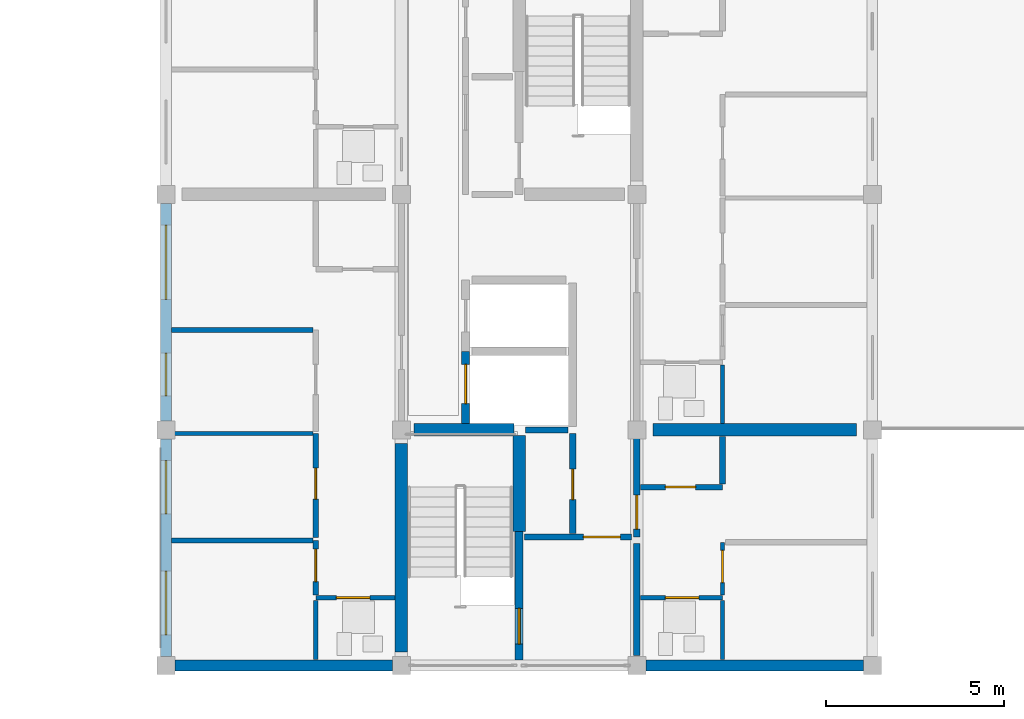
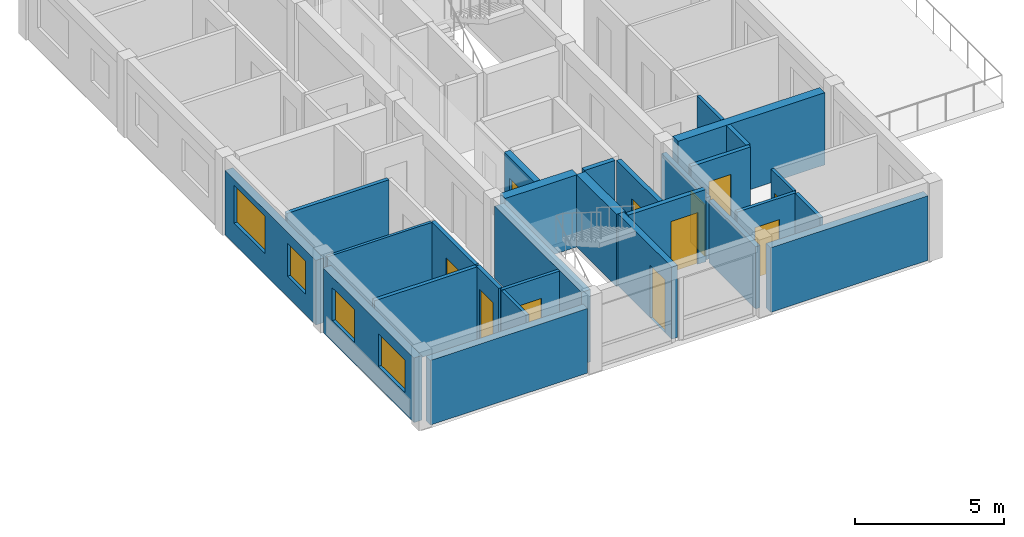
# One storey, part 30 of 51: 28 walls, 11 doors, 4 windows, 15 openings.
"""IFC4 building model written with IfcOpenShell, lengths in metres."""

from ifc_helpers import new_model, si_unit, direction, frame, frame_2d, origin, place, context, subcontext, project, spatial, rectangle, extrude, material, layer, layer_set, type_object, element, fill, save


model = new_model("IFC4")

# Units and contexts
model_context = context("Model", 3, precision=1e-05, world=origin(), true_north=direction((0.0, 1.0)))
body_context = subcontext(model_context, "Body", "Model", "MODEL_VIEW")
ifc_project = project(units=[si_unit("LENGTHUNIT", "METRE"), si_unit("AREAUNIT", "SQUARE_METRE"), si_unit("VOLUMEUNIT", "CUBIC_METRE"), si_unit("PLANEANGLEUNIT", "RADIAN"), si_unit("MASSUNIT", "GRAM", prefix="KILO")], contexts=[model_context])

# Site, building, storey
site_placement = place(None, origin())
site = spatial("IfcSite", under=ifc_project, at=site_placement, CompositionType="ELEMENT")
building_placement = place(site_placement, origin())
building = spatial("IfcBuilding", under=site, at=building_placement, Name="Kernevlak Ridge Housing Community", CompositionType="ELEMENT")
storey_placement = place(building_placement, frame((0.0, 0.0, 8.39990234375)))
storey = spatial("IfcBuildingStorey", under=building, at=storey_placement, Name="L02", CompositionType="ELEMENT", Elevation=8.39990234375)

# Wall, openings, windows
ifc_material_1 = material(Name="Concrete block masonry M10", Category="masonry")
ifc_layer_1 = layer(ifc_material_1, 0.300048828125, Name="Concrete block masonry M10")
ifc_layer_set_1 = layer_set([ifc_layer_1], Name="Concrete block masonry M10")
wall_type_1 = type_object("IfcWallType", Name="EW-01", PredefinedType="STANDARD", material=ifc_layer_set_1)
wall_1_placement = place(storey_placement, frame((126.0, 15.85009765625, 0.0), z_axis=(0.0, 0.0, 1.0), x_axis=(0.0, 1.0, 0.0)))
wall_1 = element("IfcWall", 1, at=wall_1_placement, inside=storey, type_object=wall_type_1, Name="Exterior wall EW-01 L02 558", PredefinedType="STANDARD", context=body_context, shape_type="SweptSolid", body=[
    extrude(rectangle(XDim=6.099853515625, YDim=0.300048828125, at=frame_2d((3.0498046875, 0.0))), origin(), (0.0, 0.0, 1.0), 2.650146484375),
])
opening_1_placement = place(wall_1_placement, frame((0.60009765625, 0.0, 0.85009765625)))
opening_1 = element("IfcOpeningElement", 2, at=opening_1_placement, cuts=wall_1, Name="Opening WT-03", PredefinedType="OPENING", context=body_context, shape_type="SweptSolid", body=[
    extrude(rectangle(XDim=1.800048828125, YDim=1.35009765625, at=frame_2d((0.89990234375, 0.675048828125))), frame((0.0, 0.159912109375, 0.0), z_axis=(0.0, -1.0, 0.0), x_axis=(1.0, 0.0, 0.0)), (0.0, 0.0, 1.0), 0.320068359375),
])
opening_2_placement = place(wall_1_placement, frame((4.0, 0.0, 0.85009765625)))
opening_2 = element("IfcOpeningElement", 3, at=opening_2_placement, cuts=wall_1, Name="Opening WT-02", PredefinedType="OPENING", context=body_context, shape_type="SweptSolid", body=[
    extrude(rectangle(XDim=1.5, YDim=1.35009765625, at=frame_2d((0.75, 0.675048828125))), frame((0.0, 0.159912109375, 0.0), z_axis=(0.0, -1.0, 0.0), x_axis=(1.0, 0.0, 0.0)), (0.0, 0.0, 1.0), 0.320068359375),
])
ifc_material_2 = material(Name="Aluminium EN AW-6060 anodised and laminated glass", Category="aluminium")
window_type_1 = type_object("IfcWindowType", Name="WT-02", PartitioningType="SINGLE_PANEL", PredefinedType="WINDOW", material=ifc_material_2)
window_1_placement = place(opening_2_placement, origin())
window_1 = element("IfcWindow", 4, at=window_1_placement, inside=storey, type_object=window_type_1, Name="Window WT-02 L02 444", OverallHeight=1.35009765625, OverallWidth=1.5, PartitioningType="SINGLE_PANEL", PredefinedType="WINDOW", context=body_context, shape_type="SweptSolid", body=[
    extrude(rectangle(XDim=1.5, YDim=1.35009765625, at=frame_2d((0.75, 0.675048828125))), frame((0.0, 0.030029296875, 0.0), z_axis=(0.0, -1.0, 0.0), x_axis=(1.0, 0.0, 0.0)), (0.0, 0.0, 1.0), 0.06005859375),
])
fill(opening_2, window_1)
window_type_2 = type_object("IfcWindowType", Name="WT-03", PartitioningType="SINGLE_PANEL", PredefinedType="WINDOW", material=ifc_material_2)
window_2_placement = place(opening_1_placement, origin())
window_2 = element("IfcWindow", 5, at=window_2_placement, inside=storey, type_object=window_type_2, Name="Window WT-03 L02 443", OverallHeight=1.35009765625, OverallWidth=1.800048828125, PartitioningType="SINGLE_PANEL", PredefinedType="WINDOW", context=body_context, shape_type="SweptSolid", body=[
    extrude(rectangle(XDim=1.800048828125, YDim=1.35009765625, at=frame_2d((0.89990234375, 0.675048828125))), frame((0.0, 0.030029296875, 0.0), z_axis=(0.0, -1.0, 0.0), x_axis=(1.0, 0.0, 0.0)), (0.0, 0.0, 1.0), 0.06005859375),
])
fill(opening_1, window_2)

wall_2_placement = place(storey_placement, frame((126.0, 22.449951171875, 0.0), z_axis=(0.0, 0.0, 1.0), x_axis=(0.0, 1.0, 0.0)))
wall_2 = element("IfcWall", 6, at=wall_2_placement, inside=storey, type_object=wall_type_1, Name="Exterior wall EW-01 L02 559", PredefinedType="STANDARD", context=body_context, shape_type="SweptSolid", body=[
    extrude(rectangle(XDim=6.10009765625, YDim=0.300048828125, at=frame_2d((3.050048828125, 0.0))), origin(), (0.0, 0.0, 1.0), 2.650146484375),
])
opening_3_placement = place(wall_2_placement, frame((0.699951171875, 0.0, 0.85009765625)))
opening_3 = element("IfcOpeningElement", 7, at=opening_3_placement, cuts=wall_2, Name="Opening WT-01", PredefinedType="OPENING", context=body_context, shape_type="SweptSolid", body=[
    extrude(rectangle(XDim=1.199951171875, YDim=1.35009765625, at=frame_2d((0.60009765625, 0.675048828125))), frame((0.0, 0.159912109375, 0.0), z_axis=(0.0, -1.0, 0.0), x_axis=(1.0, 0.0, 0.0)), (0.0, 0.0, 1.0), 0.320068359375),
])
opening_4_placement = place(wall_2_placement, frame((3.39990234375, 0.0, 0.85009765625)))
opening_4 = element("IfcOpeningElement", 8, at=opening_4_placement, cuts=wall_2, Name="Opening WT-05", PredefinedType="OPENING", context=body_context, shape_type="SweptSolid", body=[
    extrude(rectangle(XDim=2.10009765625, YDim=1.550048828125, at=frame_2d((1.050048828125, 0.77490234375))), frame((0.0, 0.159912109375, 0.0), z_axis=(0.0, -1.0, 0.0), x_axis=(1.0, 0.0, 0.0)), (0.0, 0.0, 1.0), 0.320068359375),
])
window_type_3 = type_object("IfcWindowType", Name="WT-01", PartitioningType="SINGLE_PANEL", PredefinedType="WINDOW", material=ifc_material_2)
window_3_placement = place(opening_3_placement, origin())
window_3 = element("IfcWindow", 9, at=window_3_placement, inside=storey, type_object=window_type_3, Name="Window WT-01 L02 445", OverallHeight=1.35009765625, OverallWidth=1.199951171875, PartitioningType="SINGLE_PANEL", PredefinedType="WINDOW", context=body_context, shape_type="SweptSolid", body=[
    extrude(rectangle(XDim=1.199951171875, YDim=1.35009765625, at=frame_2d((0.60009765625, 0.675048828125))), frame((0.0, 0.030029296875, 0.0), z_axis=(0.0, -1.0, 0.0), x_axis=(1.0, 0.0, 0.0)), (0.0, 0.0, 1.0), 0.06005859375),
])
fill(opening_3, window_3)
window_type_4 = type_object("IfcWindowType", Name="WT-05", PartitioningType="SINGLE_PANEL", PredefinedType="WINDOW", material=ifc_material_2)
window_4_placement = place(opening_4_placement, origin())
window_4 = element("IfcWindow", 10, at=window_4_placement, inside=storey, type_object=window_type_4, Name="Window WT-05 L02 446", OverallHeight=1.550048828125, OverallWidth=2.10009765625, PartitioningType="SINGLE_PANEL", PredefinedType="WINDOW", context=body_context, shape_type="SweptSolid", body=[
    extrude(rectangle(XDim=2.10009765625, YDim=1.550048828125, at=frame_2d((1.050048828125, 0.77490234375))), frame((0.0, 0.030029296875, 0.0), z_axis=(0.0, -1.0, 0.0), x_axis=(1.0, 0.0, 0.0)), (0.0, 0.0, 1.0), 0.06005859375),
])
fill(opening_4, window_4)

# Walls
for number, where, z_axis, x_axis, name in (
    (11, (126.25, 15.60009765625, 0.0), (0.0, 0.0, 1.0), (1.0, 0.0, 0.0), "Exterior wall EW-01 L02 568"),
    (12, (139.449951171875, 15.60009765625, 0.0), (0.0, 0.0, 1.0), (1.0, 0.0, 0.0), "Exterior wall EW-01 L02 569"),
):
    element("IfcWall", number, at=place(storey_placement, frame(where, z_axis=z_axis, x_axis=x_axis)), inside=storey, type_object=wall_type_1, Name=name, PredefinedType="STANDARD", context=body_context, shape_type="SweptSolid", body=[
        extrude(rectangle(XDim=6.10009765625, YDim=0.300048828125, at=frame_2d((3.050048828125, 0.0))), origin(), (0.0, 0.0, 1.0), 2.650146484375),
    ])

# Wall, opening, door
ifc_material_3 = material(Name="Concrete C35/45", Category="concrete")
ifc_layer_2 = layer(ifc_material_3, 0.22509765625, Name="Concrete C35/45")
ifc_layer_set_2 = layer_set([ifc_layer_2], Name="Concrete C35/45")
wall_type_2 = type_object("IfcWallType", Name="PW-01", PredefinedType="STANDARD", material=ifc_layer_set_2)
wall_3_placement = place(storey_placement, frame((135.89990234375, 15.75, 0.0), z_axis=(0.0, 0.0, 1.0), x_axis=(0.0, 1.0, 0.0)))
wall_3 = element("IfcWall", 13, at=wall_3_placement, inside=storey, type_object=wall_type_2, Name="Interior wall PW-01 WAL-INT-L02-2229", PredefinedType="STANDARD", context=body_context, shape_type="SweptSolid", body=[
    extrude(rectangle(XDim=3.60009765625, YDim=0.22509765625, at=frame_2d((1.800048828125, 0.0))), origin(), (0.0, 0.0, 1.0), 2.960205078125),
])
opening_5_placement = place(wall_3_placement, frame((0.449951171875, 0.0, 0.0)))
opening_5 = element("IfcOpeningElement", 14, at=opening_5_placement, cuts=wall_3, Name="Opening E130", PredefinedType="OPENING", context=body_context, shape_type="SweptSolid", body=[
    extrude(rectangle(XDim=1.0, YDim=2.159912109375, at=frame_2d((0.5, 1.080078125))), frame((0.0, 0.12255859375, 0.0), z_axis=(0.0, -1.0, 0.0), x_axis=(1.0, 0.0, 0.0)), (0.0, 0.0, 1.0), 0.2451171875),
])
ifc_material_4 = material(Name="Fire-rated sheet steel leaf", Category="steel")
door_type_1 = type_object("IfcDoorType", Name="DT-15", OperationType="NOTDEFINED", PredefinedType="DOOR", material=ifc_material_4)
door_1_placement = place(opening_5_placement, origin())
door_1 = element("IfcDoor", 15, at=door_1_placement, inside=storey, type_object=door_type_1, Name="Block C Stair 1 fire door E130", OperationType="SINGLE_SWING_LEFT", OverallHeight=2.159912109375, OverallWidth=1.0, PredefinedType="DOOR", context=body_context, shape_type="SweptSolid", body=[
    extrude(rectangle(XDim=1.0, YDim=2.159912109375, at=frame_2d((0.5, 1.080078125))), frame((0.0, 0.02490234375, 0.0), z_axis=(0.0, -1.0, 0.0), x_axis=(1.0, 0.0, 0.0)), (0.0, 0.0, 1.0), 0.050048828125),
])
fill(opening_5, door_1)

wall_4_placement = place(storey_placement, frame((134.39990234375, 22.385009765625, 0.0), z_axis=(0.0, 0.0, 1.0), x_axis=(0.0, 1.0, 0.0)))
wall_4 = element("IfcWall", 16, at=wall_4_placement, inside=storey, type_object=wall_type_2, Name="Interior wall PW-01 WAL-INT-L02-2233", PredefinedType="STANDARD", context=body_context, shape_type="SweptSolid", body=[
    extrude(rectangle(XDim=2.014892578125, YDim=0.22509765625, at=frame_2d((1.00732421875, 0.0))), origin(), (0.0, 0.0, 1.0), 2.960205078125),
])
opening_6_placement = place(wall_4_placement, frame((0.550048828125, 0.0, 0.0)))
opening_6 = element("IfcOpeningElement", 17, at=opening_6_placement, cuts=wall_4, Name="Opening LD59", PredefinedType="OPENING", context=body_context, shape_type="SweptSolid", body=[
    extrude(rectangle(XDim=1.10009765625, YDim=2.10009765625, at=frame_2d((0.550048828125, 1.050048828125))), frame((0.0, 0.12255859375, 0.0), z_axis=(0.0, -1.0, 0.0), x_axis=(1.0, 0.0, 0.0)), (0.0, 0.0, 1.0), 0.2451171875),
])
ifc_material_5 = material(Name="Stainless steel EN 1.4401", Category="steel")
door_type_2 = type_object("IfcDoorType", Name="DT-LD1", OperationType="DOUBLE_DOOR_SLIDING", PredefinedType="DOOR", material=ifc_material_5)
door_2_placement = place(opening_6_placement, origin())
door_2 = element("IfcDoor", 18, at=door_2_placement, inside=storey, type_object=door_type_2, Name="Lift LF-C1 landing door LD59", OperationType="DOUBLE_DOOR_SLIDING", OverallHeight=2.10009765625, OverallWidth=1.10009765625, PredefinedType="DOOR", context=body_context, shape_type="SweptSolid", body=[
    extrude(rectangle(XDim=1.10009765625, YDim=2.10009765625, at=frame_2d((0.550048828125, 1.050048828125))), frame((0.0, 0.02490234375, 0.0), z_axis=(0.0, -1.0, 0.0), x_axis=(1.0, 0.0, 0.0)), (0.0, 0.0, 1.0), 0.050048828125),
])
fill(opening_6, door_2)

ifc_layer_3 = layer(ifc_material_1, 0.175048828125, Name="Concrete block masonry M10")
ifc_layer_set_3 = layer_set([ifc_layer_3], Name="Concrete block masonry M10")
wall_type_3 = type_object("IfcWallType", Name="PW-02", PredefinedType="PARTITIONING", material=ifc_layer_set_3)
wall_5_placement = place(storey_placement, frame((136.050048828125, 19.199951171875, 0.0), z_axis=(0.0, 0.0, 1.0), x_axis=(1.0, 0.0, 0.0)))
wall_5 = element("IfcWall", 19, at=wall_5_placement, inside=storey, type_object=wall_type_3, Name="Interior wall PW-02 WAL-INT-L02-2230", PredefinedType="PARTITIONING", context=body_context, shape_type="SweptSolid", body=[
    extrude(rectangle(XDim=3.0, YDim=0.175048828125, at=frame_2d((1.5, 0.0))), origin(), (0.0, 0.0, 1.0), 2.960205078125),
])
opening_7_placement = place(wall_5_placement, frame((1.64990234375, 0.0, 0.0)))
opening_7 = element("IfcOpeningElement", 20, at=opening_7_placement, cuts=wall_5, Name="Opening E131", PredefinedType="OPENING", context=body_context, shape_type="SweptSolid", body=[
    extrude(rectangle(XDim=1.0400390625, YDim=2.1201171875, at=frame_2d((0.52001953125, 1.06005859375))), frame((0.0, 0.097412109375, 0.0), z_axis=(0.0, -1.0, 0.0), x_axis=(1.0, 0.0, 0.0)), (0.0, 0.0, 1.0), 0.195068359375),
])
door_type_3 = type_object("IfcDoorType", Name="DT-16", OperationType="NOTDEFINED", PredefinedType="DOOR", material=ifc_material_4)
door_3_placement = place(opening_7_placement, origin())
door_3 = element("IfcDoor", 21, at=door_3_placement, inside=storey, type_object=door_type_3, Name="Block C Firefighting lobby 1 door E131", OperationType="SINGLE_SWING_RIGHT", OverallHeight=2.1201171875, OverallWidth=1.0400390625, PredefinedType="DOOR", context=body_context, shape_type="SweptSolid", body=[
    extrude(rectangle(XDim=1.0400390625, YDim=2.1201171875, at=frame_2d((0.52001953125, 1.06005859375))), frame((0.0, 0.02490234375, 0.0), z_axis=(0.0, -1.0, 0.0), x_axis=(1.0, 0.0, 0.0)), (0.0, 0.0, 1.0), 0.050048828125),
])
fill(opening_7, door_3)

wall_6_placement = place(storey_placement, frame((137.39990234375, 19.300048828125, 0.0), z_axis=(0.0, 0.0, 1.0), x_axis=(0.0, 1.0, 0.0)))
wall_6 = element("IfcWall", 22, at=wall_6_placement, inside=storey, type_object=wall_type_3, Name="Interior wall PW-02 WAL-INT-L02-2231", PredefinedType="PARTITIONING", context=body_context, shape_type="SweptSolid", body=[
    extrude(rectangle(XDim=2.800048828125, YDim=0.175048828125, at=frame_2d((1.39990234375, 0.0))), origin(), (0.0, 0.0, 1.0), 2.960205078125),
])
opening_8_placement = place(wall_6_placement, frame((0.949951171875, 0.0, 0.0)))
opening_8 = element("IfcOpeningElement", 23, at=opening_8_placement, cuts=wall_6, Name="Opening E132", PredefinedType="OPENING", context=body_context, shape_type="SweptSolid", body=[
    extrude(rectangle(XDim=0.85009765625, YDim=2.0, at=frame_2d((0.425048828125, 1.0))), frame((0.0, 0.097412109375, 0.0), z_axis=(0.0, -1.0, 0.0), x_axis=(1.0, 0.0, 0.0)), (0.0, 0.0, 1.0), 0.195068359375),
])
door_type_4 = type_object("IfcDoorType", Name="DT-07", OperationType="NOTDEFINED", PredefinedType="DOOR", material=ifc_material_4)
door_4_placement = place(opening_8_placement, origin())
door_4 = element("IfcDoor", 24, at=door_4_placement, inside=storey, type_object=door_type_4, Name="Block C Riser shaft door E132", OperationType="SINGLE_SWING_LEFT", OverallHeight=2.0, OverallWidth=0.85009765625, PredefinedType="DOOR", context=body_context, shape_type="SweptSolid", body=[
    extrude(rectangle(XDim=0.85009765625, YDim=2.0, at=frame_2d((0.425048828125, 1.0))), frame((0.0, 0.02490234375, 0.0), z_axis=(0.0, -1.0, 0.0), x_axis=(1.0, 0.0, 0.0)), (0.0, 0.0, 1.0), 0.050048828125),
])
fill(opening_8, door_4)

# Walls
wall_7_placement = place(storey_placement, frame((136.080078125, 22.199951171875, 0.0), z_axis=(0.0, 0.0, 1.0), x_axis=(1.0, 0.0, 0.0)))
element("IfcWall", 25, at=wall_7_placement, inside=storey, type_object=wall_type_3, Name="Interior wall PW-02 WAL-INT-L02-2232", PredefinedType="PARTITIONING", context=body_context, shape_type="SweptSolid", body=[
    extrude(rectangle(XDim=1.18994140625, YDim=0.175048828125, at=frame_2d((0.594970703125, 0.0))), origin(), (0.0, 0.0, 1.0), 2.960205078125),
])
wall_8_placement = place(storey_placement, frame((139.199951171875, 15.8798828125, 0.0), z_axis=(0.0, 0.0, 1.0), x_axis=(0.0, 1.0, 0.0)))
element("IfcWall", 26, at=wall_8_placement, inside=storey, type_object=wall_type_3, Name="Interior wall PW-02 WAL-INT-L02-2270", PredefinedType="PARTITIONING", context=body_context, shape_type="SweptSolid", body=[
    extrude(rectangle(XDim=3.14013671875, YDim=0.175048828125, at=frame_2d((1.570068359375, 0.0))), origin(), (0.0, 0.0, 1.0), 2.550048828125),
])

# Wall, opening, door
wall_9_placement = place(storey_placement, frame((139.199951171875, 19.199951171875, 0.0), z_axis=(0.0, 0.0, 1.0), x_axis=(0.0, 1.0, 0.0)))
wall_9 = element("IfcWall", 27, at=wall_9_placement, inside=storey, type_object=wall_type_3, Name="Interior wall PW-02 WAL-INT-L02-2271", PredefinedType="PARTITIONING", context=body_context, shape_type="SweptSolid", body=[
    extrude(rectangle(XDim=3.0, YDim=0.175048828125, at=frame_2d((1.5, 0.0))), origin(), (0.0, 0.0, 1.0), 2.550048828125),
])
opening_9_placement = place(wall_9_placement, frame((0.219970703125, 0.0, 0.0)))
opening_9 = element("IfcOpeningElement", 28, at=opening_9_placement, cuts=wall_9, Name="Opening E149", PredefinedType="OPENING", context=body_context, shape_type="SweptSolid", body=[
    extrude(rectangle(XDim=0.949951171875, YDim=2.10009765625, at=frame_2d((0.47509765625, 1.050048828125))), frame((0.0, 0.097412109375, 0.0), z_axis=(0.0, -1.0, 0.0), x_axis=(1.0, 0.0, 0.0)), (0.0, 0.0, 1.0), 0.195068359375),
])
ifc_material_6 = material(Name="Hardwood timber solid-core fire leaf", Category="wood")
door_type_5 = type_object("IfcDoorType", Name="DT-01", OperationType="NOTDEFINED", PredefinedType="DOOR", material=ifc_material_6)
door_5_placement = place(opening_9_placement, origin())
door_5 = element("IfcDoor", 29, at=door_5_placement, inside=storey, type_object=door_type_5, Name="Flat C0221 entrance fire door E149", OperationType="SINGLE_SWING_RIGHT", OverallHeight=2.10009765625, OverallWidth=0.949951171875, PredefinedType="DOOR", context=body_context, shape_type="SweptSolid", body=[
    extrude(rectangle(XDim=0.949951171875, YDim=2.10009765625, at=frame_2d((0.47509765625, 1.050048828125))), frame((0.0, 0.02490234375, 0.0), z_axis=(0.0, -1.0, 0.0), x_axis=(1.0, 0.0, 0.0)), (0.0, 0.0, 1.0), 0.050048828125),
])
fill(opening_9, door_5)

ifc_layer_4 = layer(ifc_material_1, 0.14501953125, Name="Concrete block masonry M10")
ifc_layer_set_4 = layer_set([ifc_layer_4], Name="Concrete block masonry M10")
wall_type_4 = type_object("IfcWallType", Name="PW-03", PredefinedType="PARTITIONING", material=ifc_layer_set_4)
wall_10_placement = place(storey_placement, frame((130.199951171875, 17.572509765625, 0.0), z_axis=(0.0, 0.0, 1.0), x_axis=(0.0, 1.0, 0.0)))
wall_10 = element("IfcWall", 30, at=wall_10_placement, inside=storey, type_object=wall_type_4, Name="Interior wall PW-03 WAL-INT-L02-2253", PredefinedType="PARTITIONING", context=body_context, shape_type="SweptSolid", body=[
    extrude(rectangle(XDim=1.527587890625, YDim=0.14501953125, at=frame_2d((0.763671875, 0.0))), origin(), (0.0, 0.0, 1.0), 2.960205078125),
])
opening_10_placement = place(wall_10_placement, frame((0.375, 0.0, 0.0)))
opening_10 = element("IfcOpeningElement", 31, at=opening_10_placement, cuts=wall_10, Name="Opening E140", PredefinedType="OPENING", context=body_context, shape_type="SweptSolid", body=[
    extrude(rectangle(XDim=0.909912109375, YDim=2.139892578125, at=frame_2d((0.455078125, 1.06982421875))), frame((0.0, 0.08251953125, 0.0), z_axis=(0.0, -1.0, 0.0), x_axis=(1.0, 0.0, 0.0)), (0.0, 0.0, 1.0), 0.1650390625),
])
ifc_material_7 = material(Name="Hardwood timber leaf", Category="wood")
door_type_6 = type_object("IfcDoorType", Name="DT-31", OperationType="NOTDEFINED", PredefinedType="DOOR", material=ifc_material_7)
door_6_placement = place(opening_10_placement, origin())
door_6 = element("IfcDoor", 32, at=door_6_placement, inside=storey, type_object=door_type_6, Name="Flat C0211 bedroom door E140", OperationType="SINGLE_SWING_LEFT", OverallHeight=2.139892578125, OverallWidth=0.909912109375, PredefinedType="DOOR", context=body_context, shape_type="SweptSolid", body=[
    extrude(rectangle(XDim=0.909912109375, YDim=2.139892578125, at=frame_2d((0.455078125, 1.06982421875))), frame((0.0, 0.02490234375, 0.0), z_axis=(0.0, -1.0, 0.0), x_axis=(1.0, 0.0, 0.0)), (0.0, 0.0, 1.0), 0.050048828125),
])
fill(opening_10, door_6)

# Wall
wall_11_placement = place(storey_placement, frame((130.117431640625, 19.10009765625, 0.0), z_axis=(0.0, 0.0, 1.0), x_axis=(-1.0, 0.0, 0.0)))
element("IfcWall", 33, at=wall_11_placement, inside=storey, type_object=wall_type_4, Name="Interior wall PW-03 WAL-INT-L02-2254", PredefinedType="PARTITIONING", context=body_context, shape_type="SweptSolid", body=[
    extrude(rectangle(XDim=3.95751953125, YDim=0.14501953125, at=frame_2d((1.978759765625, 0.0))), origin(), (0.0, 0.0, 1.0), 2.960205078125),
])

# Wall, opening, door
wall_12_placement = place(storey_placement, frame((130.199951171875, 19.1826171875, 0.0), z_axis=(0.0, 0.0, 1.0), x_axis=(0.0, 1.0, 0.0)))
wall_12 = element("IfcWall", 34, at=wall_12_placement, inside=storey, type_object=wall_type_4, Name="Interior wall PW-03 WAL-INT-L02-2255", PredefinedType="PARTITIONING", context=body_context, shape_type="SweptSolid", body=[
    extrude(rectangle(XDim=2.91748046875, YDim=0.14501953125, at=frame_2d((1.458740234375, 0.0))), origin(), (0.0, 0.0, 1.0), 2.960205078125),
])
opening_11_placement = place(wall_12_placement, frame((1.074951171875, 0.0, 0.0)))
opening_11 = element("IfcOpeningElement", 35, at=opening_11_placement, cuts=wall_12, Name="Opening E141", PredefinedType="OPENING", context=body_context, shape_type="SweptSolid", body=[
    extrude(rectangle(XDim=0.8701171875, YDim=2.080078125, at=frame_2d((0.43505859375, 1.0400390625))), frame((0.0, 0.08251953125, 0.0), z_axis=(0.0, -1.0, 0.0), x_axis=(1.0, 0.0, 0.0)), (0.0, 0.0, 1.0), 0.1650390625),
])
door_type_7 = type_object("IfcDoorType", Name="DT-32", OperationType="NOTDEFINED", PredefinedType="DOOR", material=ifc_material_7)
door_7_placement = place(opening_11_placement, origin())
door_7 = element("IfcDoor", 36, at=door_7_placement, inside=storey, type_object=door_type_7, Name="Flat C0211 bedroom door E141", OperationType="SINGLE_SWING_RIGHT", OverallHeight=2.080078125, OverallWidth=0.8701171875, PredefinedType="DOOR", context=body_context, shape_type="SweptSolid", body=[
    extrude(rectangle(XDim=0.8701171875, YDim=2.080078125, at=frame_2d((0.43505859375, 1.0400390625))), frame((0.0, 0.02490234375, 0.0), z_axis=(0.0, -1.0, 0.0), x_axis=(1.0, 0.0, 0.0)), (0.0, 0.0, 1.0), 0.050048828125),
])
fill(opening_11, door_7)

# Wall
wall_13_placement = place(storey_placement, frame((130.117431640625, 25.0, 0.0), z_axis=(0.0, 0.0, 1.0), x_axis=(-1.0, 0.0, 0.0)))
element("IfcWall", 37, at=wall_13_placement, inside=storey, type_object=wall_type_4, Name="Interior wall PW-03 WAL-INT-L02-2258", PredefinedType="PARTITIONING", context=body_context, shape_type="SweptSolid", body=[
    extrude(rectangle(XDim=3.95751953125, YDim=0.14501953125, at=frame_2d((1.978759765625, 0.0))), origin(), (0.0, 0.0, 1.0), 2.960205078125),
])

# Wall, opening, door
ifc_material_8 = material(Name="Gypsum plasterboard EN 520", Category="gypsum")
ifc_layer_5 = layer(ifc_material_8, 0.125, Name="Gypsum plasterboard EN 520")
ifc_layer_set_5 = layer_set([ifc_layer_5], Name="Gypsum plasterboard EN 520")
wall_type_5 = type_object("IfcWallType", Name="PW-04", PredefinedType="PARTITIONING", material=ifc_layer_set_5)
wall_14_placement = place(storey_placement, frame((132.4150390625, 17.5, 0.0), z_axis=(0.0, 0.0, 1.0), x_axis=(-1.0, 0.0, 0.0)))
wall_14 = element("IfcWall", 38, at=wall_14_placement, inside=storey, type_object=wall_type_5, Name="Interior wall PW-04 WAL-INT-L02-2249", PredefinedType="PARTITIONING", context=body_context, shape_type="SweptSolid", body=[
    extrude(rectangle(XDim=2.215087890625, YDim=0.125, at=frame_2d((1.107421875, 0.0))), origin(), (0.0, 0.0, 1.0), 2.960205078125),
])
opening_12_placement = place(wall_14_placement, frame((0.699951171875, 0.0, 0.0)))
opening_12 = element("IfcOpeningElement", 39, at=opening_12_placement, cuts=wall_14, Name="Opening E138", PredefinedType="OPENING", context=body_context, shape_type="SweptSolid", body=[
    extrude(rectangle(XDim=0.93994140625, YDim=2.080078125, at=frame_2d((0.469970703125, 1.0400390625))), frame((0.0, 0.072509765625, 0.0), z_axis=(0.0, -1.0, 0.0), x_axis=(1.0, 0.0, 0.0)), (0.0, 0.0, 1.0), 0.14501953125),
])
ifc_material_9 = material(Name="Hardwood timber moisture-resistant leaf", Category="wood")
door_type_8 = type_object("IfcDoorType", Name="DT-23", OperationType="NOTDEFINED", PredefinedType="DOOR", material=ifc_material_9)
door_8_placement = place(opening_12_placement, origin())
door_8 = element("IfcDoor", 40, at=door_8_placement, inside=storey, type_object=door_type_8, Name="Flat C0211 bathroom door E138", OperationType="SINGLE_SWING_LEFT", OverallHeight=2.080078125, OverallWidth=0.93994140625, PredefinedType="DOOR", context=body_context, shape_type="SweptSolid", body=[
    extrude(rectangle(XDim=0.93994140625, YDim=2.080078125, at=frame_2d((0.469970703125, 1.0400390625))), frame((0.0, 0.02490234375, 0.0), z_axis=(0.0, -1.0, 0.0), x_axis=(1.0, 0.0, 0.0)), (0.0, 0.0, 1.0), 0.050048828125),
])
fill(opening_12, door_8)

# Wall
wall_15_placement = place(storey_placement, frame((130.199951171875, 15.760009765625, 0.0), z_axis=(0.0, 0.0, 1.0), x_axis=(0.0, 1.0, 0.0)))
element("IfcWall", 41, at=wall_15_placement, inside=storey, type_object=wall_type_5, Name="Interior wall PW-04 WAL-INT-L02-2250", PredefinedType="PARTITIONING", context=body_context, shape_type="SweptSolid", body=[
    extrude(rectangle(XDim=1.659912109375, YDim=0.125, at=frame_2d((0.830078125, 0.0))), origin(), (0.0, 0.0, 1.0), 2.960205078125),
])

# Wall, opening, door
wall_16_placement = place(storey_placement, frame((139.297607421875, 17.5, 0.0), z_axis=(0.0, 0.0, 1.0), x_axis=(1.0, 0.0, 0.0)))
wall_16 = element("IfcWall", 42, at=wall_16_placement, inside=storey, type_object=wall_type_5, Name="Interior wall PW-04 WAL-INT-L02-2272", PredefinedType="PARTITIONING", context=body_context, shape_type="SweptSolid", body=[
    extrude(rectangle(XDim=2.302490234375, YDim=0.125, at=frame_2d((1.1513671875, 0.0))), origin(), (0.0, 0.0, 1.0), 2.960205078125),
])
opening_13_placement = place(wall_16_placement, frame((0.699951171875, 0.0, 0.0)))
opening_13 = element("IfcOpeningElement", 43, at=opening_13_placement, cuts=wall_16, Name="Opening E150", PredefinedType="OPENING", context=body_context, shape_type="SweptSolid", body=[
    extrude(rectangle(XDim=0.93994140625, YDim=2.080078125, at=frame_2d((0.469970703125, 1.0400390625))), frame((0.0, 0.072509765625, 0.0), z_axis=(0.0, -1.0, 0.0), x_axis=(1.0, 0.0, 0.0)), (0.0, 0.0, 1.0), 0.14501953125),
])
door_9_placement = place(opening_13_placement, origin())
door_9 = element("IfcDoor", 44, at=door_9_placement, inside=storey, type_object=door_type_8, Name="Flat C0221 bathroom door E150", OperationType="SINGLE_SWING_LEFT", OverallHeight=2.080078125, OverallWidth=0.93994140625, PredefinedType="DOOR", context=body_context, shape_type="SweptSolid", body=[
    extrude(rectangle(XDim=0.93994140625, YDim=2.080078125, at=frame_2d((0.469970703125, 1.0400390625))), frame((0.0, 0.02490234375, 0.0), z_axis=(0.0, -1.0, 0.0), x_axis=(1.0, 0.0, 0.0)), (0.0, 0.0, 1.0), 0.050048828125),
])
fill(opening_13, door_9)

# Walls
wall_17_placement = place(storey_placement, frame((141.60009765625, 15.760009765625, 0.0), z_axis=(0.0, 0.0, 1.0), x_axis=(0.0, 1.0, 0.0)))
element("IfcWall", 45, at=wall_17_placement, inside=storey, type_object=wall_type_5, Name="Interior wall PW-04 WAL-INT-L02-2273", PredefinedType="PARTITIONING", context=body_context, shape_type="SweptSolid", body=[
    extrude(rectangle(XDim=1.659912109375, YDim=0.125, at=frame_2d((0.830078125, 0.0))), origin(), (0.0, 0.0, 1.0), 2.960205078125),
])
wall_18_placement = place(storey_placement, frame((141.60009765625, 22.385009765625, 0.0), z_axis=(0.0, 0.0, 1.0), x_axis=(0.0, 1.0, 0.0)))
element("IfcWall", 46, at=wall_18_placement, inside=storey, type_object=wall_type_5, Name="Interior wall PW-04 WAL-INT-L02-2280", PredefinedType="PARTITIONING", context=body_context, shape_type="SweptSolid", body=[
    extrude(rectangle(XDim=1.635009765625, YDim=0.125, at=frame_2d((0.8173828125, 0.0))), origin(), (0.0, 0.0, 1.0), 2.960205078125),
])

# Wall, opening, door
ifc_layer_6 = layer(ifc_material_8, 0.155029296875, Name="Gypsum plasterboard EN 520")
ifc_layer_set_6 = layer_set([ifc_layer_6], Name="Gypsum plasterboard EN 520")
wall_type_6 = type_object("IfcWallType", Name="PW-05", PredefinedType="PARTITIONING", material=ifc_layer_set_6)
wall_19_placement = place(storey_placement, frame((139.297607421875, 20.60009765625, 0.0), z_axis=(0.0, 0.0, 1.0), x_axis=(1.0, 0.0, 0.0)))
wall_19 = element("IfcWall", 47, at=wall_19_placement, inside=storey, type_object=wall_type_6, Name="Interior wall PW-05 WAL-INT-L02-2274", PredefinedType="PARTITIONING", context=body_context, shape_type="SweptSolid", body=[
    extrude(rectangle(XDim=2.302490234375, YDim=0.155029296875, at=frame_2d((1.1513671875, 0.0))), origin(), (0.0, 0.0, 1.0), 2.960205078125),
])
opening_14_placement = place(wall_19_placement, frame((0.699951171875, 0.0, 0.0)))
opening_14 = element("IfcOpeningElement", 48, at=opening_14_placement, cuts=wall_19, Name="Opening E151", PredefinedType="OPENING", context=body_context, shape_type="SweptSolid", body=[
    extrude(rectangle(XDim=0.85009765625, YDim=2.10009765625, at=frame_2d((0.425048828125, 1.050048828125))), frame((0.0, 0.08740234375, 0.0), z_axis=(0.0, -1.0, 0.0), x_axis=(1.0, 0.0, 0.0)), (0.0, 0.0, 1.0), 0.175048828125),
])
door_type_9 = type_object("IfcDoorType", Name="DT-03", OperationType="NOTDEFINED", PredefinedType="DOOR", material=ifc_material_7)
door_10_placement = place(opening_14_placement, origin())
door_10 = element("IfcDoor", 49, at=door_10_placement, inside=storey, type_object=door_type_9, Name="Flat C0221 kitchen door E151", OperationType="SINGLE_SWING_RIGHT", OverallHeight=2.10009765625, OverallWidth=0.85009765625, PredefinedType="DOOR", context=body_context, shape_type="SweptSolid", body=[
    extrude(rectangle(XDim=0.85009765625, YDim=2.10009765625, at=frame_2d((0.425048828125, 1.050048828125))), frame((0.0, 0.02490234375, 0.0), z_axis=(0.0, -1.0, 0.0), x_axis=(1.0, 0.0, 0.0)), (0.0, 0.0, 1.0), 0.050048828125),
])
fill(opening_14, door_10)

# Walls
wall_20_placement = place(storey_placement, frame((141.60009765625, 20.6875, 0.0), z_axis=(0.0, 0.0, 1.0), x_axis=(0.0, 1.0, 0.0)))
element("IfcWall", 50, at=wall_20_placement, inside=storey, type_object=wall_type_6, Name="Interior wall PW-05 WAL-INT-L02-2275", PredefinedType="PARTITIONING", context=body_context, shape_type="SweptSolid", body=[
    extrude(rectangle(XDim=1.327392578125, YDim=0.155029296875, at=frame_2d((0.66357421875, 0.0))), origin(), (0.0, 0.0, 1.0), 2.960205078125),
])
ifc_layer_7 = layer(ifc_material_8, 0.10498046875, Name="Gypsum plasterboard EN 520")
ifc_layer_set_7 = layer_set([ifc_layer_7], Name="Gypsum plasterboard EN 520")
wall_type_7 = type_object("IfcWallType", Name="PW-06", PredefinedType="PARTITIONING", material=ifc_layer_set_7)
wall_21_placement = place(storey_placement, frame((130.117431640625, 22.10009765625, 0.0), z_axis=(0.0, 0.0, 1.0), x_axis=(-1.0, 0.0, 0.0)))
element("IfcWall", 51, at=wall_21_placement, inside=storey, type_object=wall_type_7, Name="Interior wall PW-06 WAL-INT-L02-2256", PredefinedType="PARTITIONING", context=body_context, shape_type="SweptSolid", body=[
    extrude(rectangle(XDim=4.037353515625, YDim=0.10498046875, at=frame_2d((2.0185546875, 0.0))), origin(), (0.0, 0.0, 1.0), 2.960205078125),
])

# Wall, opening, door
wall_22_placement = place(storey_placement, frame((141.60009765625, 17.572509765625, 0.0), z_axis=(0.0, 0.0, 1.0), x_axis=(0.0, 1.0, 0.0)))
wall_22 = element("IfcWall", 52, at=wall_22_placement, inside=storey, type_object=wall_type_7, Name="Interior wall PW-06 WAL-INT-L02-2276", PredefinedType="PARTITIONING", context=body_context, shape_type="SweptSolid", body=[
    extrude(rectangle(XDim=1.4775390625, YDim=0.10498046875, at=frame_2d((0.73876953125, 0.0))), origin(), (0.0, 0.0, 1.0), 2.960205078125),
])
opening_15_placement = place(wall_22_placement, frame((0.35009765625, 0.0, 0.0)))
opening_15 = element("IfcOpeningElement", 53, at=opening_15_placement, cuts=wall_22, Name="Opening E152", PredefinedType="OPENING", context=body_context, shape_type="SweptSolid", body=[
    extrude(rectangle(XDim=0.89990234375, YDim=2.10009765625, at=frame_2d((0.449951171875, 1.050048828125))), frame((0.0, 0.0625, 0.0), z_axis=(0.0, -1.0, 0.0), x_axis=(1.0, 0.0, 0.0)), (0.0, 0.0, 1.0), 0.125),
])
door_type_10 = type_object("IfcDoorType", Name="DT-21", OperationType="NOTDEFINED", PredefinedType="DOOR", material=ifc_material_7)
door_11_placement = place(opening_15_placement, origin())
door_11 = element("IfcDoor", 54, at=door_11_placement, inside=storey, type_object=door_type_10, Name="Flat C0221 bedroom door E152", OperationType="SINGLE_SWING_LEFT", OverallHeight=2.10009765625, OverallWidth=0.89990234375, PredefinedType="DOOR", context=body_context, shape_type="SweptSolid", body=[
    extrude(rectangle(XDim=0.89990234375, YDim=2.10009765625, at=frame_2d((0.449951171875, 1.050048828125))), frame((0.0, 0.02490234375, 0.0), z_axis=(0.0, -1.0, 0.0), x_axis=(1.0, 0.0, 0.0)), (0.0, 0.0, 1.0), 0.050048828125),
])
fill(opening_15, door_11)

# Walls
ifc_material_10 = material(Name="Concrete C40/50", Category="concrete")
ifc_layer_8 = layer(ifc_material_10, 0.35009765625, Name="Concrete C40/50")
ifc_layer_set_8 = layer_set([ifc_layer_8], Name="Concrete C40/50")
wall_type_8 = type_object("IfcWallType", Name="SW-01", PredefinedType="SHEAR", material=ifc_layer_set_8)
wall_23_placement = place(storey_placement, frame((132.60009765625, 15.97998046875, 0.0), z_axis=(0.0, 0.0, 1.0), x_axis=(0.0, 1.0, 0.0)))
element("IfcWall", 55, at=wall_23_placement, inside=storey, type_object=wall_type_8, Name="Shear wall SW-01 Block C L02 391", PredefinedType="SHEAR", context=body_context, shape_type="SweptSolid", body=[
    extrude(rectangle(XDim=5.840087890625, YDim=0.35009765625, at=frame_2d((2.919921875, 0.0))), origin(), (0.0, 0.0, 1.0), 2.960205078125),
])
wall_24_placement = place(storey_placement, frame((135.89990234375, 19.35009765625, 0.0), z_axis=(0.0, 0.0, 1.0), x_axis=(0.0, 1.0, 0.0)))
element("IfcWall", 56, at=wall_24_placement, inside=storey, type_object=wall_type_8, Name="Shear wall SW-01 Block C L02 392", PredefinedType="SHEAR", context=body_context, shape_type="SweptSolid", body=[
    extrude(rectangle(XDim=2.699951171875, YDim=0.35009765625, at=frame_2d((1.35009765625, 0.0))), origin(), (0.0, 0.0, 1.0), 2.960205078125),
])
wall_25_placement = place(storey_placement, frame((132.949951171875, 22.199951171875, 0.0), z_axis=(0.0, 0.0, 1.0), x_axis=(1.0, 0.0, 0.0)))
element("IfcWall", 57, at=wall_25_placement, inside=storey, type_object=wall_type_8, Name="Shear wall SW-01 Block C L02 393", PredefinedType="SHEAR", context=body_context, shape_type="SweptSolid", body=[
    extrude(rectangle(XDim=2.800048828125, YDim=0.35009765625, at=frame_2d((1.39990234375, 0.0))), origin(), (0.0, 0.0, 1.0), 2.960205078125),
])
wall_26_placement = place(storey_placement, frame((139.64990234375, 22.199951171875, 0.0), z_axis=(0.0, 0.0, 1.0), x_axis=(1.0, 0.0, 0.0)))
element("IfcWall", 58, at=wall_26_placement, inside=storey, type_object=wall_type_8, Name="Shear wall SW-01 Block C L02 399", PredefinedType="SHEAR", context=body_context, shape_type="SweptSolid", body=[
    extrude(rectangle(XDim=5.7001953125, YDim=0.35009765625, at=frame_2d((2.85009765625, 0.0))), origin(), (0.0, 0.0, 1.0), 2.960205078125),
])

save(model, "model.ifc")
